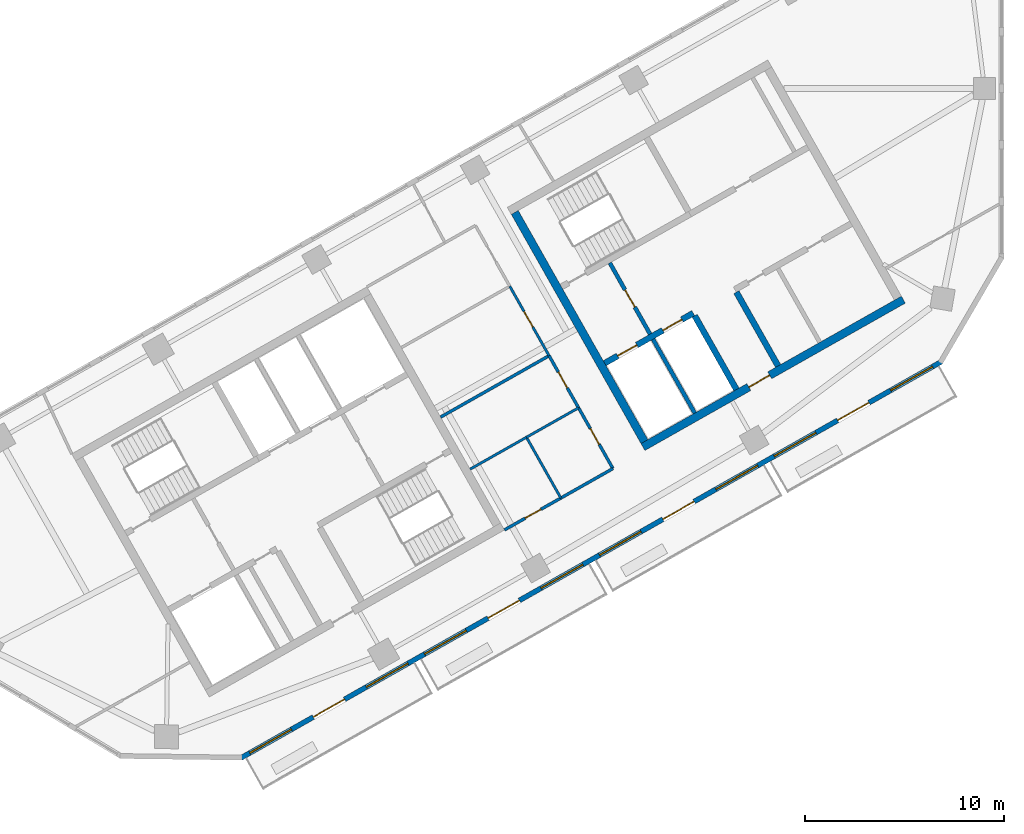
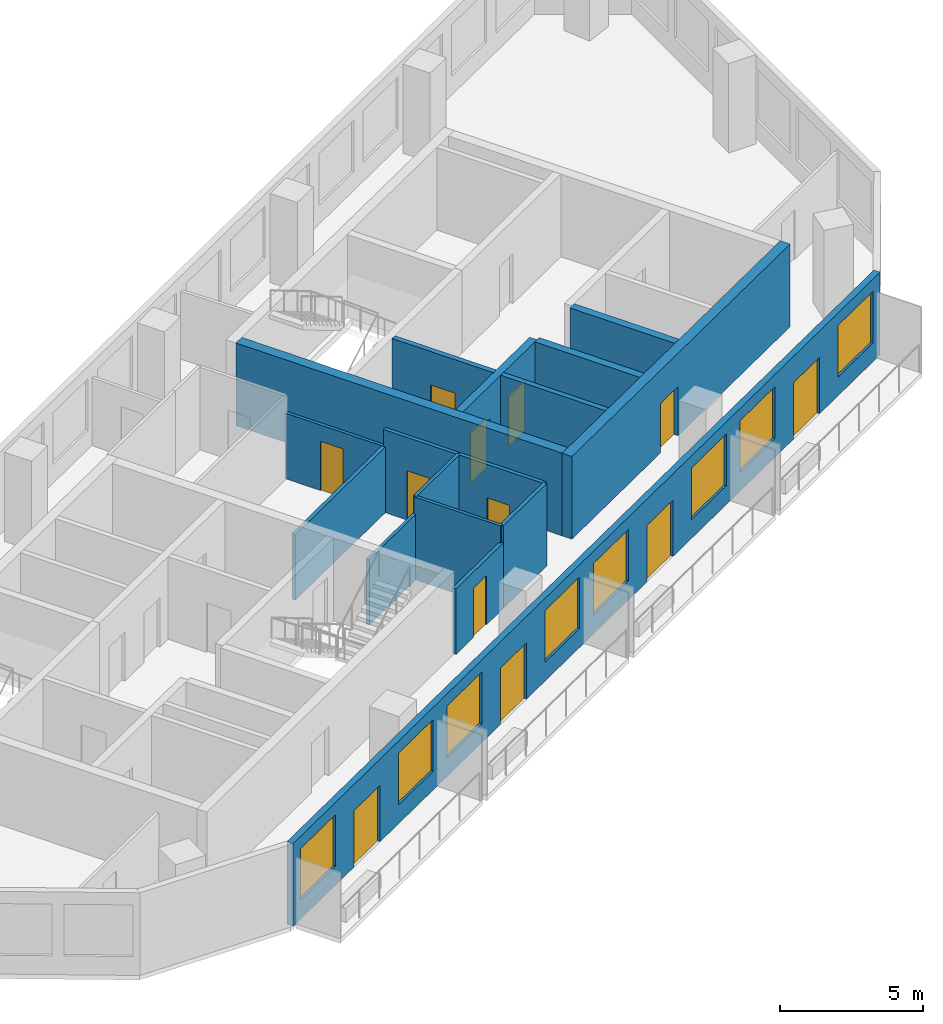
# One storey, part 4 of 7: 17 walls, 12 doors, 8 windows, 20 openings.
"""IFC4 building model written with IfcOpenShell, lengths in metres."""

from ifc_helpers import new_model, si_unit, direction, frame, frame_2d, origin, place, context, subcontext, project, spatial, rectangle, extrude, material, layer, layer_set, type_object, element, fill, save


model = new_model("IFC4")

# Units and contexts
model_context = context("Model", 3, precision=1e-05, world=origin(), true_north=direction((0.0, 1.0)))
body_context = subcontext(model_context, "Body", "Model", "MODEL_VIEW")
ifc_project = project(units=[si_unit("LENGTHUNIT", "METRE"), si_unit("AREAUNIT", "SQUARE_METRE"), si_unit("VOLUMEUNIT", "CUBIC_METRE"), si_unit("PLANEANGLEUNIT", "RADIAN"), si_unit("MASSUNIT", "GRAM", prefix="KILO")], contexts=[model_context])

# Site, building, storey
site_placement = place(None, origin())
site = spatial("IfcSite", under=ifc_project, at=site_placement, CompositionType="ELEMENT")
building_placement = place(site_placement, origin())
building = spatial("IfcBuilding", under=site, at=building_placement, Name="Binnacle Exchange Tower", CompositionType="ELEMENT")
storey_placement = place(building_placement, frame((0.0, 0.0, 266.5)))
storey = spatial("IfcBuildingStorey", under=building, at=storey_placement, Name="L59", CompositionType="ELEMENT", Elevation=266.5)

# Wall, openings, doors
ifc_material_1 = material(Name="Concrete C70/85", Category="concrete")
ifc_layer_1 = layer(ifc_material_1, 0.300048828125)
ifc_layer_set_1 = layer_set([ifc_layer_1], Name="Core wall - front 300")
wall_type_1 = type_object("IfcWallType", Name="Core wall - front 300", PredefinedType="SOLIDWALL", material=ifc_layer_set_1)
wall_1_placement = place(storey_placement, frame((-19.89208984375, 46.2177734375, 0.0), z_axis=(0.0, 0.0, 1.0), x_axis=(0.870341639186, 0.492448404505, 0.0)))
wall_1 = element("IfcWall", 1, at=wall_1_placement, inside=storey, type_object=wall_type_1, Name="Core wall CRWC2", PredefinedType="SOLIDWALL", context=body_context, shape_type="SweptSolid", body=[
    extrude(rectangle(XDim=5.099853515625, YDim=0.300048828125, at=frame_2d((2.5498046875, 0.0))), origin(), (0.0, 0.0, 1.0), 3.52001953125),
])
opening_1_placement = place(wall_1_placement, frame((0.75, 0.0, 0.0)))
opening_1 = element("IfcOpeningElement", 2, at=opening_1_placement, cuts=wall_1, Name="Opening LD14", PredefinedType="OPENING", context=body_context, shape_type="SweptSolid", body=[
    extrude(rectangle(XDim=1.10009765625, YDim=2.10009765625, at=frame_2d((0.550048828125, 1.050048828125))), frame((0.0, 0.159912109375, 0.0), z_axis=(0.0, -1.0, 0.0), x_axis=(1.0, 0.0, 0.0)), (0.0, 0.0, 1.0), 0.320068359375),
])
opening_2_placement = place(wall_1_placement, frame((3.35009765625, 0.0, 0.0)))
opening_2 = element("IfcOpeningElement", 3, at=opening_2_placement, cuts=wall_1, Name="Opening LD11", PredefinedType="OPENING", context=body_context, shape_type="SweptSolid", body=[
    extrude(rectangle(XDim=1.10009765625, YDim=2.10009765625, at=frame_2d((0.550048828125, 1.050048828125))), frame((0.0, 0.159912109375, 0.0), z_axis=(0.0, -1.0, 0.0), x_axis=(1.0, 0.0, 0.0)), (0.0, 0.0, 1.0), 0.320068359375),
])
ifc_material_2 = material(Name="Steel door leaf", Category="steel")
door_type_1 = type_object("IfcDoorType", Name="Fire door - lift landing 1100", OperationType="NOTDEFINED", PredefinedType="DOOR", material=ifc_material_2)
door_1_placement = place(opening_1_placement, origin())
door_1 = element("IfcDoor", 4, at=door_1_placement, inside=storey, type_object=door_type_1, Name="Landing door LD14 L59", OperationType="DOUBLE_DOOR_SLIDING", OverallHeight=2.10009765625, OverallWidth=1.10009765625, PredefinedType="DOOR", context=body_context, shape_type="SweptSolid", body=[
    extrude(rectangle(XDim=1.10009765625, YDim=2.10009765625, at=frame_2d((0.550048828125, 1.050048828125))), frame((0.0, 0.02490234375, 0.0), z_axis=(0.0, -1.0, 0.0), x_axis=(1.0, 0.0, 0.0)), (0.0, 0.0, 1.0), 0.050048828125),
])
fill(opening_1, door_1)
door_2_placement = place(opening_2_placement, origin())
door_2 = element("IfcDoor", 5, at=door_2_placement, inside=storey, type_object=door_type_1, Name="Landing door LD11 L59", OperationType="DOUBLE_DOOR_SLIDING", OverallHeight=2.10009765625, OverallWidth=1.10009765625, PredefinedType="DOOR", context=body_context, shape_type="SweptSolid", body=[
    extrude(rectangle(XDim=1.10009765625, YDim=2.10009765625, at=frame_2d((0.550048828125, 1.050048828125))), frame((0.0, 0.02490234375, 0.0), z_axis=(0.0, -1.0, 0.0), x_axis=(1.0, 0.0, 0.0)), (0.0, 0.0, 1.0), 0.050048828125),
])
fill(opening_2, door_2)

# Walls
wall_2_placement = place(storey_placement, frame((-15.37939453125, 48.5986328125, 0.0), z_axis=(0.0, 0.0, 1.0), x_axis=(0.492422543467, -0.870356271124, 0.0)))
element("IfcWall", 6, at=wall_2_placement, inside=storey, type_object=wall_type_1, Name="Core wall CRWC13", PredefinedType="SOLIDWALL", context=body_context, shape_type="SweptSolid", body=[
    extrude(rectangle(XDim=4.25, YDim=0.300048828125, at=frame_2d((2.125, 0.0))), origin(), (0.0, 0.0, 1.0), 3.52001953125),
])
wall_3_placement = place(storey_placement, frame((-13.29052734375, 49.780517578125, 0.0), z_axis=(0.0, 0.0, 1.0), x_axis=(0.492397924348, -0.870370199454, 0.0)))
element("IfcWall", 7, at=wall_3_placement, inside=storey, type_object=wall_type_1, Name="Core wall CRWC15", PredefinedType="SOLIDWALL", context=body_context, shape_type="SweptSolid", body=[
    extrude(rectangle(XDim=4.250244140625, YDim=0.300048828125, at=frame_2d((2.125, 0.0))), origin(), (0.0, 0.0, 1.0), 3.52001953125),
])

# Wall, opening, door
ifc_layer_2 = layer(ifc_material_1, 0.39990234375)
ifc_layer_set_2 = layer_set([ifc_layer_2], Name="Core wall - outer 400")
wall_type_2 = type_object("IfcWallType", Name="Core wall - outer 400", PredefinedType="SOLIDWALL", material=ifc_layer_set_2)
wall_4_placement = place(storey_placement, frame((-17.97509765625, 42.01708984375, 0.0), z_axis=(0.0, 0.0, 1.0), x_axis=(0.87034965173, 0.492434243055, 0.0)))
wall_4 = element("IfcWall", 8, at=wall_4_placement, inside=storey, type_object=wall_type_2, Name="Core wall CRWC1", PredefinedType="SOLIDWALL", context=body_context, shape_type="SweptSolid", body=[
    extrude(rectangle(XDim=15.0, YDim=0.39990234375, at=frame_2d((7.5, 0.0))), origin(), (0.0, 0.0, 1.0), 3.52001953125),
])
opening_3_placement = place(wall_4_placement, frame((6.10009765625, 0.0, 0.0)))
opening_3 = element("IfcOpeningElement", 9, at=opening_3_placement, cuts=wall_4, Name="Opening DC7", PredefinedType="OPENING", context=body_context, shape_type="SweptSolid", body=[
    extrude(rectangle(XDim=1.199951171875, YDim=2.10009765625, at=frame_2d((0.60009765625, 1.050048828125))), frame((0.0, 0.2099609375, 0.0), z_axis=(0.0, -1.0, 0.0), x_axis=(1.0, 0.0, 0.0)), (0.0, 0.0, 1.0), 0.419921875),
])
door_type_2 = type_object("IfcDoorType", Name="Fire door 1200", OperationType="NOTDEFINED", PredefinedType="DOOR", material=ifc_material_2)
door_3_placement = place(opening_3_placement, frame((1.199951171875, 0.0, 0.0), z_axis=(0.0, 0.0, 1.0), x_axis=(-1.0, 0.0, 0.0)))
door_3 = element("IfcDoor", 10, at=door_3_placement, inside=storey, type_object=door_type_2, Name="Lift lobby entrance door core C", OperationType="SINGLE_SWING_RIGHT", OverallHeight=2.10009765625, OverallWidth=1.199951171875, PredefinedType="DOOR", context=body_context, shape_type="SweptSolid", body=[
    extrude(rectangle(XDim=1.199951171875, YDim=2.10009765625, at=frame_2d((0.60009765625, 1.050048828125))), frame((0.0, 0.02490234375, 0.0), z_axis=(0.0, -1.0, 0.0), x_axis=(1.0, 0.0, 0.0)), (0.0, 0.0, 1.0), 0.050048828125),
])
fill(opening_3, door_3)

# Wall
wall_5_placement = place(storey_placement, frame((-24.399658203125, 53.778564453125, 0.0), z_axis=(0.0, 0.0, 1.0), x_axis=(0.492421663121, -0.870356769198, 0.0)))
element("IfcWall", 11, at=wall_5_placement, inside=storey, type_object=wall_type_2, Name="Core wall CRWC7", PredefinedType="SOLIDWALL", context=body_context, shape_type="SweptSolid", body=[
    extrude(rectangle(XDim=13.199951171875, YDim=0.39990234375, at=frame_2d((6.60009765625, 0.0))), origin(), (0.0, 0.0, 1.0), 3.52001953125),
])

# Wall, openings, doors, windows
ifc_material_3 = material(Name="Bronze aluminium cladding", Category="aluminium")
ifc_layer_3 = layer(ifc_material_3, 0.25)
ifc_layer_set_3 = layer_set([ifc_layer_3], Name="External wall - window wall 250")
wall_type_3 = type_object("IfcWallType", Name="External wall - window wall 250", PredefinedType="STANDARD", material=ifc_layer_set_3)
wall_6_placement = place(storey_placement, frame((-3.016845703125, 46.293212890625, 0.0), z_axis=(0.0, 0.0, 1.0), x_axis=(-0.870355474887, -0.492423950812, 0.0)))
wall_6 = element("IfcWall", 12, at=wall_6_placement, inside=storey, type_object=wall_type_3, Name="External wall EW-H07 L59", PredefinedType="STANDARD", context=body_context, shape_type="SweptSolid", body=[
    extrude(rectangle(XDim=40.34033203125, YDim=0.25, at=frame_2d((20.170166015625, 0.0))), origin(), (0.0, 0.0, 1.0), 3.52001953125),
])
opening_4_placement = place(wall_6_placement, frame((37.428466796875, 0.0, 0.800048828125)))
opening_4 = element("IfcOpeningElement", 13, at=opening_4_placement, cuts=wall_6, Name="Opening WR2", PredefinedType="OPENING", context=body_context, shape_type="SweptSolid", body=[
    extrude(rectangle(XDim=2.39990234375, YDim=2.199951171875, at=frame_2d((1.199951171875, 1.10009765625))), frame((0.0, 0.135009765625, 0.0), z_axis=(0.0, -1.0, 0.0), x_axis=(1.0, 0.0, 0.0)), (0.0, 0.0, 1.0), 0.27001953125),
])
opening_5_placement = place(wall_6_placement, frame((34.372314453125, 0.0, 0.0)))
opening_5 = element("IfcOpeningElement", 14, at=opening_5_placement, cuts=wall_6, Name="Opening D-FS18-01", PredefinedType="OPENING", context=body_context, shape_type="SweptSolid", body=[
    extrude(rectangle(XDim=1.800048828125, YDim=2.39990234375, at=frame_2d((0.89990234375, 1.199951171875))), frame((0.0, 0.135009765625, 0.0), z_axis=(0.0, -1.0, 0.0), x_axis=(1.0, 0.0, 0.0)), (0.0, 0.0, 1.0), 0.27001953125),
])
opening_6_placement = place(wall_6_placement, frame((30.71630859375, 0.0, 0.800048828125)))
opening_6 = element("IfcOpeningElement", 15, at=opening_6_placement, cuts=wall_6, Name="Opening WR2", PredefinedType="OPENING", context=body_context, shape_type="SweptSolid", body=[
    extrude(rectangle(XDim=2.39990234375, YDim=2.199951171875, at=frame_2d((1.199951171875, 1.10009765625))), frame((0.0, 0.135009765625, 0.0), z_axis=(0.0, -1.0, 0.0), x_axis=(1.0, 0.0, 0.0)), (0.0, 0.0, 1.0), 0.27001953125),
])
opening_7_placement = place(wall_6_placement, frame((27.3603515625, 0.0, 0.800048828125)))
opening_7 = element("IfcOpeningElement", 16, at=opening_7_placement, cuts=wall_6, Name="Opening WR2", PredefinedType="OPENING", context=body_context, shape_type="SweptSolid", body=[
    extrude(rectangle(XDim=2.39990234375, YDim=2.199951171875, at=frame_2d((1.199951171875, 1.10009765625))), frame((0.0, 0.135009765625, 0.0), z_axis=(0.0, -1.0, 0.0), x_axis=(1.0, 0.0, 0.0)), (0.0, 0.0, 1.0), 0.27001953125),
])
opening_8_placement = place(wall_6_placement, frame((24.30419921875, 0.0, 0.0)))
opening_8 = element("IfcOpeningElement", 17, at=opening_8_placement, cuts=wall_6, Name="Opening D-FS18-02", PredefinedType="OPENING", context=body_context, shape_type="SweptSolid", body=[
    extrude(rectangle(XDim=1.800048828125, YDim=2.39990234375, at=frame_2d((0.89990234375, 1.199951171875))), frame((0.0, 0.135009765625, 0.0), z_axis=(0.0, -1.0, 0.0), x_axis=(1.0, 0.0, 0.0)), (0.0, 0.0, 1.0), 0.27001953125),
])
opening_9_placement = place(wall_6_placement, frame((20.648193359375, 0.0, 0.800048828125)))
opening_9 = element("IfcOpeningElement", 18, at=opening_9_placement, cuts=wall_6, Name="Opening WR2", PredefinedType="OPENING", context=body_context, shape_type="SweptSolid", body=[
    extrude(rectangle(XDim=2.39990234375, YDim=2.199951171875, at=frame_2d((1.199951171875, 1.10009765625))), frame((0.0, 0.135009765625, 0.0), z_axis=(0.0, -1.0, 0.0), x_axis=(1.0, 0.0, 0.0)), (0.0, 0.0, 1.0), 0.27001953125),
])
opening_10_placement = place(wall_6_placement, frame((17.2919921875, 0.0, 0.800048828125)))
opening_10 = element("IfcOpeningElement", 19, at=opening_10_placement, cuts=wall_6, Name="Opening WR2", PredefinedType="OPENING", context=body_context, shape_type="SweptSolid", body=[
    extrude(rectangle(XDim=2.39990234375, YDim=2.199951171875, at=frame_2d((1.199951171875, 1.10009765625))), frame((0.0, 0.135009765625, 0.0), z_axis=(0.0, -1.0, 0.0), x_axis=(1.0, 0.0, 0.0)), (0.0, 0.0, 1.0), 0.27001953125),
])
opening_11_placement = place(wall_6_placement, frame((14.236083984375, 0.0, 0.0)))
opening_11 = element("IfcOpeningElement", 20, at=opening_11_placement, cuts=wall_6, Name="Opening D-FS18-03", PredefinedType="OPENING", context=body_context, shape_type="SweptSolid", body=[
    extrude(rectangle(XDim=1.800048828125, YDim=2.39990234375, at=frame_2d((0.89990234375, 1.199951171875))), frame((0.0, 0.135009765625, 0.0), z_axis=(0.0, -1.0, 0.0), x_axis=(1.0, 0.0, 0.0)), (0.0, 0.0, 1.0), 0.27001953125),
])
opening_12_placement = place(wall_6_placement, frame((10.580078125, 0.0, 0.800048828125)))
opening_12 = element("IfcOpeningElement", 21, at=opening_12_placement, cuts=wall_6, Name="Opening WR2", PredefinedType="OPENING", context=body_context, shape_type="SweptSolid", body=[
    extrude(rectangle(XDim=2.39990234375, YDim=2.199951171875, at=frame_2d((1.199951171875, 1.10009765625))), frame((0.0, 0.135009765625, 0.0), z_axis=(0.0, -1.0, 0.0), x_axis=(1.0, 0.0, 0.0)), (0.0, 0.0, 1.0), 0.27001953125),
])
opening_13_placement = place(wall_6_placement, frame((7.223876953125, 0.0, 0.800048828125)))
opening_13 = element("IfcOpeningElement", 22, at=opening_13_placement, cuts=wall_6, Name="Opening WR2", PredefinedType="OPENING", context=body_context, shape_type="SweptSolid", body=[
    extrude(rectangle(XDim=2.39990234375, YDim=2.199951171875, at=frame_2d((1.199951171875, 1.10009765625))), frame((0.0, 0.135009765625, 0.0), z_axis=(0.0, -1.0, 0.0), x_axis=(1.0, 0.0, 0.0)), (0.0, 0.0, 1.0), 0.27001953125),
])
opening_14_placement = place(wall_6_placement, frame((4.16796875, 0.0, 0.0)))
opening_14 = element("IfcOpeningElement", 23, at=opening_14_placement, cuts=wall_6, Name="Opening D-FS18-04", PredefinedType="OPENING", context=body_context, shape_type="SweptSolid", body=[
    extrude(rectangle(XDim=1.800048828125, YDim=2.39990234375, at=frame_2d((0.89990234375, 1.199951171875))), frame((0.0, 0.135009765625, 0.0), z_axis=(0.0, -1.0, 0.0), x_axis=(1.0, 0.0, 0.0)), (0.0, 0.0, 1.0), 0.27001953125),
])
opening_15_placement = place(wall_6_placement, frame((0.51171875, 0.0, 0.800048828125)))
opening_15 = element("IfcOpeningElement", 24, at=opening_15_placement, cuts=wall_6, Name="Opening WR2", PredefinedType="OPENING", context=body_context, shape_type="SweptSolid", body=[
    extrude(rectangle(XDim=2.39990234375, YDim=2.199951171875, at=frame_2d((1.199951171875, 1.10009765625))), frame((0.0, 0.135009765625, 0.0), z_axis=(0.0, -1.0, 0.0), x_axis=(1.0, 0.0, 0.0)), (0.0, 0.0, 1.0), 0.27001953125),
])
ifc_material_4 = material(Name="Bronze anodised aluminium frame", Category="aluminium")
door_type_3 = type_object("IfcDoorType", Name="DB DOOR 1800x2400", OperationType="DOUBLE_DOOR_SINGLE_SWING", PredefinedType="DOOR", material=ifc_material_4)
door_4_placement = place(opening_5_placement, origin())
door_4 = element("IfcDoor", 25, at=door_4_placement, inside=storey, type_object=door_type_3, Name="Door D-FS18-01 L59", OperationType="DOUBLE_DOOR_SINGLE_SWING", OverallHeight=2.39990234375, OverallWidth=1.800048828125, PredefinedType="DOOR", context=body_context, shape_type="SweptSolid", body=[
    extrude(rectangle(XDim=1.800048828125, YDim=2.39990234375, at=frame_2d((0.89990234375, 1.199951171875))), frame((0.0, 0.02490234375, 0.0), z_axis=(0.0, -1.0, 0.0), x_axis=(1.0, 0.0, 0.0)), (0.0, 0.0, 1.0), 0.050048828125),
])
fill(opening_5, door_4)
door_5_placement = place(opening_8_placement, origin())
door_5 = element("IfcDoor", 26, at=door_5_placement, inside=storey, type_object=door_type_3, Name="Door D-FS18-02 L59", OperationType="DOUBLE_DOOR_SINGLE_SWING", OverallHeight=2.39990234375, OverallWidth=1.800048828125, PredefinedType="DOOR", context=body_context, shape_type="SweptSolid", body=[
    extrude(rectangle(XDim=1.800048828125, YDim=2.39990234375, at=frame_2d((0.89990234375, 1.199951171875))), frame((0.0, 0.02490234375, 0.0), z_axis=(0.0, -1.0, 0.0), x_axis=(1.0, 0.0, 0.0)), (0.0, 0.0, 1.0), 0.050048828125),
])
fill(opening_8, door_5)
door_6_placement = place(opening_11_placement, origin())
door_6 = element("IfcDoor", 27, at=door_6_placement, inside=storey, type_object=door_type_3, Name="Door D-FS18-03 L59", OperationType="DOUBLE_DOOR_SINGLE_SWING", OverallHeight=2.39990234375, OverallWidth=1.800048828125, PredefinedType="DOOR", context=body_context, shape_type="SweptSolid", body=[
    extrude(rectangle(XDim=1.800048828125, YDim=2.39990234375, at=frame_2d((0.89990234375, 1.199951171875))), frame((0.0, 0.02490234375, 0.0), z_axis=(0.0, -1.0, 0.0), x_axis=(1.0, 0.0, 0.0)), (0.0, 0.0, 1.0), 0.050048828125),
])
fill(opening_11, door_6)
door_7_placement = place(opening_14_placement, origin())
door_7 = element("IfcDoor", 28, at=door_7_placement, inside=storey, type_object=door_type_3, Name="Door D-FS18-04 L59", OperationType="DOUBLE_DOOR_SINGLE_SWING", OverallHeight=2.39990234375, OverallWidth=1.800048828125, PredefinedType="DOOR", context=body_context, shape_type="SweptSolid", body=[
    extrude(rectangle(XDim=1.800048828125, YDim=2.39990234375, at=frame_2d((0.89990234375, 1.199951171875))), frame((0.0, 0.02490234375, 0.0), z_axis=(0.0, -1.0, 0.0), x_axis=(1.0, 0.0, 0.0)), (0.0, 0.0, 1.0), 0.050048828125),
])
fill(opening_14, door_7)
window_type = type_object("IfcWindowType", Name="WR2 WINDOW 2400x2200", PartitioningType="SINGLE_PANEL", PredefinedType="WINDOW", material=ifc_material_4)
window_1_placement = place(opening_4_placement, origin())
window_1 = element("IfcWindow", 29, at=window_1_placement, inside=storey, type_object=window_type, Name="Window WR2 L59", OverallHeight=2.199951171875, OverallWidth=2.39990234375, PartitioningType="SINGLE_PANEL", PredefinedType="WINDOW", context=body_context, shape_type="SweptSolid", body=[
    extrude(rectangle(XDim=2.39990234375, YDim=2.199951171875, at=frame_2d((1.199951171875, 1.10009765625))), frame((0.0, 0.030029296875, 0.0), z_axis=(0.0, -1.0, 0.0), x_axis=(1.0, 0.0, 0.0)), (0.0, 0.0, 1.0), 0.06005859375),
])
fill(opening_4, window_1)
window_2_placement = place(opening_6_placement, origin())
window_2 = element("IfcWindow", 30, at=window_2_placement, inside=storey, type_object=window_type, Name="Window WR2 L59", OverallHeight=2.199951171875, OverallWidth=2.39990234375, PartitioningType="SINGLE_PANEL", PredefinedType="WINDOW", context=body_context, shape_type="SweptSolid", body=[
    extrude(rectangle(XDim=2.39990234375, YDim=2.199951171875, at=frame_2d((1.199951171875, 1.10009765625))), frame((0.0, 0.030029296875, 0.0), z_axis=(0.0, -1.0, 0.0), x_axis=(1.0, 0.0, 0.0)), (0.0, 0.0, 1.0), 0.06005859375),
])
fill(opening_6, window_2)
window_3_placement = place(opening_7_placement, origin())
window_3 = element("IfcWindow", 31, at=window_3_placement, inside=storey, type_object=window_type, Name="Window WR2 L59", OverallHeight=2.199951171875, OverallWidth=2.39990234375, PartitioningType="SINGLE_PANEL", PredefinedType="WINDOW", context=body_context, shape_type="SweptSolid", body=[
    extrude(rectangle(XDim=2.39990234375, YDim=2.199951171875, at=frame_2d((1.199951171875, 1.10009765625))), frame((0.0, 0.030029296875, 0.0), z_axis=(0.0, -1.0, 0.0), x_axis=(1.0, 0.0, 0.0)), (0.0, 0.0, 1.0), 0.06005859375),
])
fill(opening_7, window_3)
window_4_placement = place(opening_9_placement, origin())
window_4 = element("IfcWindow", 32, at=window_4_placement, inside=storey, type_object=window_type, Name="Window WR2 L59", OverallHeight=2.199951171875, OverallWidth=2.39990234375, PartitioningType="SINGLE_PANEL", PredefinedType="WINDOW", context=body_context, shape_type="SweptSolid", body=[
    extrude(rectangle(XDim=2.39990234375, YDim=2.199951171875, at=frame_2d((1.199951171875, 1.10009765625))), frame((0.0, 0.030029296875, 0.0), z_axis=(0.0, -1.0, 0.0), x_axis=(1.0, 0.0, 0.0)), (0.0, 0.0, 1.0), 0.06005859375),
])
fill(opening_9, window_4)
window_5_placement = place(opening_10_placement, origin())
window_5 = element("IfcWindow", 33, at=window_5_placement, inside=storey, type_object=window_type, Name="Window WR2 L59", OverallHeight=2.199951171875, OverallWidth=2.39990234375, PartitioningType="SINGLE_PANEL", PredefinedType="WINDOW", context=body_context, shape_type="SweptSolid", body=[
    extrude(rectangle(XDim=2.39990234375, YDim=2.199951171875, at=frame_2d((1.199951171875, 1.10009765625))), frame((0.0, 0.030029296875, 0.0), z_axis=(0.0, -1.0, 0.0), x_axis=(1.0, 0.0, 0.0)), (0.0, 0.0, 1.0), 0.06005859375),
])
fill(opening_10, window_5)
window_6_placement = place(opening_12_placement, origin())
window_6 = element("IfcWindow", 34, at=window_6_placement, inside=storey, type_object=window_type, Name="Window WR2 L59", OverallHeight=2.199951171875, OverallWidth=2.39990234375, PartitioningType="SINGLE_PANEL", PredefinedType="WINDOW", context=body_context, shape_type="SweptSolid", body=[
    extrude(rectangle(XDim=2.39990234375, YDim=2.199951171875, at=frame_2d((1.199951171875, 1.10009765625))), frame((0.0, 0.030029296875, 0.0), z_axis=(0.0, -1.0, 0.0), x_axis=(1.0, 0.0, 0.0)), (0.0, 0.0, 1.0), 0.06005859375),
])
fill(opening_12, window_6)
window_7_placement = place(opening_13_placement, origin())
window_7 = element("IfcWindow", 35, at=window_7_placement, inside=storey, type_object=window_type, Name="Window WR2 L59", OverallHeight=2.199951171875, OverallWidth=2.39990234375, PartitioningType="SINGLE_PANEL", PredefinedType="WINDOW", context=body_context, shape_type="SweptSolid", body=[
    extrude(rectangle(XDim=2.39990234375, YDim=2.199951171875, at=frame_2d((1.199951171875, 1.10009765625))), frame((0.0, 0.030029296875, 0.0), z_axis=(0.0, -1.0, 0.0), x_axis=(1.0, 0.0, 0.0)), (0.0, 0.0, 1.0), 0.06005859375),
])
fill(opening_13, window_7)
window_8_placement = place(opening_15_placement, origin())
window_8 = element("IfcWindow", 36, at=window_8_placement, inside=storey, type_object=window_type, Name="Window WR2 L59", OverallHeight=2.199951171875, OverallWidth=2.39990234375, PartitioningType="SINGLE_PANEL", PredefinedType="WINDOW", context=body_context, shape_type="SweptSolid", body=[
    extrude(rectangle(XDim=2.39990234375, YDim=2.199951171875, at=frame_2d((1.199951171875, 1.10009765625))), frame((0.0, 0.030029296875, 0.0), z_axis=(0.0, -1.0, 0.0), x_axis=(1.0, 0.0, 0.0)), (0.0, 0.0, 1.0), 0.06005859375),
])
fill(opening_15, window_8)

# Wall, opening, door
ifc_material_5 = material(Name="Masonry block wall", Category="masonry")
ifc_layer_4 = layer(ifc_material_5, 0.199951171875)
ifc_layer_set_4 = layer_set([ifc_layer_4], Name="Fire wall - vestibule 200")
wall_type_4 = type_object("IfcWallType", Name="Fire wall - vestibule 200", PredefinedType="PARTITIONING", material=ifc_layer_set_4)
wall_7_placement = place(storey_placement, frame((-19.635009765625, 51.246337890625, 0.0), z_axis=(0.0, 0.0, 1.0), x_axis=(0.492408451753, -0.87036424366, 0.0)))
wall_7 = element("IfcWall", 37, at=wall_7_placement, inside=storey, type_object=wall_type_4, Name="Core wall CRWC10", PredefinedType="PARTITIONING", context=body_context, shape_type="SweptSolid", body=[
    extrude(rectangle(XDim=4.099853515625, YDim=0.199951171875, at=frame_2d((2.0498046875, 0.0))), origin(), (0.0, 0.0, 1.0), 3.52001953125),
])
opening_16_placement = place(wall_7_placement, frame((1.550048828125, 0.0, 0.0)))
opening_16 = element("IfcOpeningElement", 38, at=opening_16_placement, cuts=wall_7, Name="Opening DC3", PredefinedType="OPENING", context=body_context, shape_type="SweptSolid", body=[
    extrude(rectangle(XDim=1.0, YDim=2.10009765625, at=frame_2d((0.5, 1.050048828125))), frame((0.0, 0.10986328125, 0.0), z_axis=(0.0, -1.0, 0.0), x_axis=(1.0, 0.0, 0.0)), (0.0, 0.0, 1.0), 0.219970703125),
])
door_type_4 = type_object("IfcDoorType", Name="Fire door 1000", OperationType="NOTDEFINED", PredefinedType="DOOR", material=ifc_material_2)
door_8_placement = place(opening_16_placement, frame((1.0, 0.0, 0.0), z_axis=(0.0, 0.0, 1.0), x_axis=(-1.0, 0.0, 0.0)))
door_8 = element("IfcDoor", 39, at=door_8_placement, inside=storey, type_object=door_type_4, Name="Vestibule door VEST-W", OperationType="SINGLE_SWING_RIGHT", OverallHeight=2.10009765625, OverallWidth=1.0, PredefinedType="DOOR", context=body_context, shape_type="SweptSolid", body=[
    extrude(rectangle(XDim=1.0, YDim=2.10009765625, at=frame_2d((0.5, 1.050048828125))), frame((0.0, 0.02490234375, 0.0), z_axis=(0.0, -1.0, 0.0), x_axis=(1.0, 0.0, 0.0)), (0.0, 0.0, 1.0), 0.050048828125),
])
fill(opening_16, door_8)

# Wall
ifc_material_6 = material(Name="Gypsum partition fire rated")
ifc_layer_5 = layer(ifc_material_6, 0.14990234375)
ifc_layer_set_5 = layer_set([ifc_layer_5], Name="Fire-rated partition 150")
wall_type_5 = type_object("IfcWallType", Name="Fire-rated partition 150", PredefinedType="PARTITIONING", material=ifc_layer_set_5)
wall_8_placement = place(storey_placement, frame((-28.118896484375, 43.51611328125, 0.0), z_axis=(0.0, 0.0, 1.0), x_axis=(0.870310250913, 0.49250387527, 0.0)))
element("IfcWall", 40, at=wall_8_placement, inside=storey, type_object=wall_type_5, Name="Partition W06", PredefinedType="PARTITIONING", context=body_context, shape_type="SweptSolid", body=[
    extrude(rectangle(XDim=6.24951171875, YDim=0.14990234375, at=frame_2d((3.124755859375, 0.0))), origin(), (0.0, 0.0, 1.0), 2.7919921875),
])

# Wall, opening, door
wall_9_placement = place(storey_placement, frame((-24.9189453125, 37.85888671875, 0.0), z_axis=(0.0, 0.0, 1.0), x_axis=(0.870407498556, 0.49233198805, 0.0)))
wall_9 = element("IfcWall", 41, at=wall_9_placement, inside=storey, type_object=wall_type_5, Name="Partition W10", PredefinedType="PARTITIONING", context=body_context, shape_type="SweptSolid", body=[
    extrude(rectangle(XDim=3.25, YDim=0.14990234375, at=frame_2d((1.625, 0.0))), origin(), (0.0, 0.0, 1.0), 2.7919921875),
])
opening_17_placement = place(wall_9_placement, frame((1.199951171875, 0.0, 0.0)))
opening_17 = element("IfcOpeningElement", 42, at=opening_17_placement, cuts=wall_9, Name="Opening DL58-03", PredefinedType="OPENING", context=body_context, shape_type="SweptSolid", body=[
    extrude(rectangle(XDim=0.89990234375, YDim=2.10009765625, at=frame_2d((0.449951171875, 1.050048828125))), frame((0.0, 0.0849609375, 0.0), z_axis=(0.0, -1.0, 0.0), x_axis=(1.0, 0.0, 0.0)), (0.0, 0.0, 1.0), 0.169921875),
])
door_type_5 = type_object("IfcDoorType", Name="Fire door 900", OperationType="NOTDEFINED", PredefinedType="DOOR", material=ifc_material_2)
door_9_placement = place(opening_17_placement, origin())
door_9 = element("IfcDoor", 43, at=door_9_placement, inside=storey, type_object=door_type_5, Name="Door DL58-03", OperationType="SINGLE_SWING_RIGHT", OverallHeight=2.10009765625, OverallWidth=0.89990234375, PredefinedType="DOOR", context=body_context, shape_type="SweptSolid", body=[
    extrude(rectangle(XDim=0.89990234375, YDim=2.10009765625, at=frame_2d((0.449951171875, 1.050048828125))), frame((0.0, 0.02490234375, 0.0), z_axis=(0.0, -1.0, 0.0), x_axis=(1.0, 0.0, 0.0)), (0.0, 0.0, 1.0), 0.050048828125),
])
fill(opening_17, door_9)

wall_10_placement = place(storey_placement, frame((-22.679931640625, 46.593994140625, 0.0), z_axis=(0.0, 0.0, 1.0), x_axis=(0.492612172641, -0.870248957119, 0.0)))
wall_10 = element("IfcWall", 44, at=wall_10_placement, inside=storey, type_object=wall_type_5, Name="Partition W15", PredefinedType="PARTITIONING", context=body_context, shape_type="SweptSolid", body=[
    extrude(rectangle(XDim=3.00048828125, YDim=0.14990234375, at=frame_2d((1.500244140625, 0.0))), origin(), (0.0, 0.0, 1.0), 3.52001953125),
])
opening_18_placement = place(wall_10_placement, frame((0.949951171875, 0.0, 0.0)))
opening_18 = element("IfcOpeningElement", 45, at=opening_18_placement, cuts=wall_10, Name="Opening DL58-05", PredefinedType="OPENING", context=body_context, shape_type="SweptSolid", body=[
    extrude(rectangle(XDim=0.89990234375, YDim=2.10009765625, at=frame_2d((0.449951171875, 1.050048828125))), frame((0.0, 0.0849609375, 0.0), z_axis=(0.0, -1.0, 0.0), x_axis=(1.0, 0.0, 0.0)), (0.0, 0.0, 1.0), 0.169921875),
])
door_10_placement = place(opening_18_placement, frame((0.89990234375, 0.0, 0.0), z_axis=(0.0, 0.0, 1.0), x_axis=(-1.0, 0.0, 0.0)))
door_10 = element("IfcDoor", 46, at=door_10_placement, inside=storey, type_object=door_type_5, Name="Door DL58-05", OperationType="SINGLE_SWING_RIGHT", OverallHeight=2.10009765625, OverallWidth=0.89990234375, PredefinedType="DOOR", context=body_context, shape_type="SweptSolid", body=[
    extrude(rectangle(XDim=0.89990234375, YDim=2.10009765625, at=frame_2d((0.449951171875, 1.050048828125))), frame((0.0, 0.02490234375, 0.0), z_axis=(0.0, -1.0, 0.0), x_axis=(1.0, 0.0, 0.0)), (0.0, 0.0, 1.0), 0.050048828125),
])
fill(opening_18, door_10)

# Wall
wall_11_placement = place(storey_placement, frame((-22.090087890625, 39.458984375, 0.0), z_axis=(0.0, 0.0, 1.0), x_axis=(0.870248957119, 0.492612172641, 0.0)))
element("IfcWall", 47, at=wall_11_placement, inside=storey, type_object=wall_type_5, Name="Partition W16", PredefinedType="PARTITIONING", context=body_context, shape_type="SweptSolid", body=[
    extrude(rectangle(XDim=3.00048828125, YDim=0.14990234375, at=frame_2d((1.500244140625, 0.0))), origin(), (0.0, 0.0, 1.0), 3.52001953125),
])

# Wall, opening, door
wall_12_placement = place(storey_placement, frame((-21.201904296875, 43.98291015625, 0.0), z_axis=(0.0, 0.0, 1.0), x_axis=(0.492339993675, -0.870402970255, 0.0)))
wall_12 = element("IfcWall", 48, at=wall_12_placement, inside=storey, type_object=wall_type_5, Name="Partition W17", PredefinedType="PARTITIONING", context=body_context, shape_type="SweptSolid", body=[
    extrude(rectangle(XDim=3.49951171875, YDim=0.14990234375, at=frame_2d((1.749755859375, 0.0))), origin(), (0.0, 0.0, 1.0), 3.52001953125),
])
opening_19_placement = place(wall_12_placement, frame((1.199951171875, 0.0, 0.0)))
opening_19 = element("IfcOpeningElement", 49, at=opening_19_placement, cuts=wall_12, Name="Opening DL58-04", PredefinedType="OPENING", context=body_context, shape_type="SweptSolid", body=[
    extrude(rectangle(XDim=0.89990234375, YDim=2.10009765625, at=frame_2d((0.449951171875, 1.050048828125))), frame((0.0, 0.0849609375, 0.0), z_axis=(0.0, -1.0, 0.0), x_axis=(1.0, 0.0, 0.0)), (0.0, 0.0, 1.0), 0.169921875),
])
door_11_placement = place(opening_19_placement, frame((0.89990234375, 0.0, 0.0), z_axis=(0.0, 0.0, 1.0), x_axis=(-1.0, 0.0, 0.0)))
door_11 = element("IfcDoor", 50, at=door_11_placement, inside=storey, type_object=door_type_5, Name="Door DL58-04", OperationType="SINGLE_SWING_RIGHT", OverallHeight=2.10009765625, OverallWidth=0.89990234375, PredefinedType="DOOR", context=body_context, shape_type="SweptSolid", body=[
    extrude(rectangle(XDim=0.89990234375, YDim=2.10009765625, at=frame_2d((0.449951171875, 1.050048828125))), frame((0.0, 0.02490234375, 0.0), z_axis=(0.0, -1.0, 0.0), x_axis=(1.0, 0.0, 0.0)), (0.0, 0.0, 1.0), 0.050048828125),
])
fill(opening_19, door_11)

# Wall
ifc_material_7 = material(Name="Gypsum partition")
ifc_layer_6 = layer(ifc_material_7, 0.125)
ifc_layer_set_6 = layer_set([ifc_layer_6], Name="Partition 125")
wall_type_6 = type_object("IfcWallType", Name="Partition 125", PredefinedType="PARTITIONING", material=ifc_layer_set_6)
wall_13_placement = place(storey_placement, frame((-26.64208984375, 40.905029296875, 0.0), z_axis=(0.0, 0.0, 1.0), x_axis=(0.870296945076, 0.492527387453, 0.0)))
element("IfcWall", 51, at=wall_13_placement, inside=storey, type_object=wall_type_6, Name="Partition W08", PredefinedType="PARTITIONING", context=body_context, shape_type="SweptSolid", body=[
    extrude(rectangle(XDim=3.250732421875, YDim=0.125, at=frame_2d((1.62548828125, 0.0))), origin(), (0.0, 0.0, 1.0), 2.7919921875),
])

# Wall, opening, door
wall_14_placement = place(storey_placement, frame((-24.64892578125, 50.074951171875, 0.0), z_axis=(0.0, 0.0, 1.0), x_axis=(0.492340861121, -0.870402479587, 0.0)))
wall_14 = element("IfcWall", 52, at=wall_14_placement, inside=storey, type_object=wall_type_6, Name="Partition W11", PredefinedType="PARTITIONING", context=body_context, shape_type="SweptSolid", body=[
    extrude(rectangle(XDim=3.999267578125, YDim=0.125, at=frame_2d((1.99951171875, 0.0))), origin(), (0.0, 0.0, 1.0), 2.7919921875),
])
opening_20_placement = place(wall_14_placement, frame((1.449951171875, 0.0, 0.0)))
opening_20 = element("IfcOpeningElement", 53, at=opening_20_placement, cuts=wall_14, Name="Opening DL58-06", PredefinedType="OPENING", context=body_context, shape_type="SweptSolid", body=[
    extrude(rectangle(XDim=0.89990234375, YDim=2.10009765625, at=frame_2d((0.449951171875, 1.050048828125))), frame((0.0, 0.072509765625, 0.0), z_axis=(0.0, -1.0, 0.0), x_axis=(1.0, 0.0, 0.0)), (0.0, 0.0, 1.0), 0.14501953125),
])
ifc_material_8 = material(Name="Timber door leaf", Category="wood")
door_type_6 = type_object("IfcDoorType", Name="Door 900", OperationType="NOTDEFINED", PredefinedType="DOOR", material=ifc_material_8)
door_12_placement = place(opening_20_placement, frame((0.89990234375, 0.0, 0.0), z_axis=(0.0, 0.0, 1.0), x_axis=(-1.0, 0.0, 0.0)))
door_12 = element("IfcDoor", 54, at=door_12_placement, inside=storey, type_object=door_type_6, Name="Door DL58-06", OperationType="SINGLE_SWING_RIGHT", OverallHeight=2.10009765625, OverallWidth=0.89990234375, PredefinedType="DOOR", context=body_context, shape_type="SweptSolid", body=[
    extrude(rectangle(XDim=0.89990234375, YDim=2.10009765625, at=frame_2d((0.449951171875, 1.050048828125))), frame((0.0, 0.02490234375, 0.0), z_axis=(0.0, -1.0, 0.0), x_axis=(1.0, 0.0, 0.0)), (0.0, 0.0, 1.0), 0.050048828125),
])
fill(opening_20, door_12)

# Walls
wall_15_placement = place(storey_placement, frame((-23.81298828125, 42.506103515625, 0.0), z_axis=(0.0, 0.0, 1.0), x_axis=(0.492190545807, -0.870487487916, 0.0)))
element("IfcWall", 55, at=wall_15_placement, inside=storey, type_object=wall_type_6, Name="Partition W13", PredefinedType="PARTITIONING", context=body_context, shape_type="SweptSolid", body=[
    extrude(rectangle(XDim=3.50048828125, YDim=0.125, at=frame_2d((1.750244140625, 0.0))), origin(), (0.0, 0.0, 1.0), 3.52001953125),
])
wall_16_placement = place(storey_placement, frame((-23.81298828125, 42.506103515625, 0.0), z_axis=(0.0, 0.0, 1.0), x_axis=(0.870423351516, 0.492303960105, 0.0)))
element("IfcWall", 56, at=wall_16_placement, inside=storey, type_object=wall_type_6, Name="Partition W14", PredefinedType="PARTITIONING", context=body_context, shape_type="SweptSolid", body=[
    extrude(rectangle(XDim=2.999755859375, YDim=0.125, at=frame_2d((1.5, 0.0))), origin(), (0.0, 0.0, 1.0), 3.52001953125),
])
ifc_layer_7 = layer(ifc_material_5, 0.199951171875)
ifc_layer_set_7 = layer_set([ifc_layer_7], Name="Shaft wall 200")
wall_type_7 = type_object("IfcWallType", Name="Shaft wall 200", PredefinedType="SOLIDWALL", material=ifc_layer_set_7)
wall_17_placement = place(storey_placement, frame((-17.468505859375, 47.416748046875, 0.0), z_axis=(0.0, 0.0, 1.0), x_axis=(0.492466057713, -0.870331650579, 0.0)))
element("IfcWall", 57, at=wall_17_placement, inside=storey, type_object=wall_type_7, Name="Core wall CRWC9", PredefinedType="SOLIDWALL", context=body_context, shape_type="SweptSolid", body=[
    extrude(rectangle(XDim=4.25, YDim=0.199951171875, at=frame_2d((2.125, 0.0))), origin(), (0.0, 0.0, 1.0), 3.52001953125),
])

save(model, "model.ifc")
